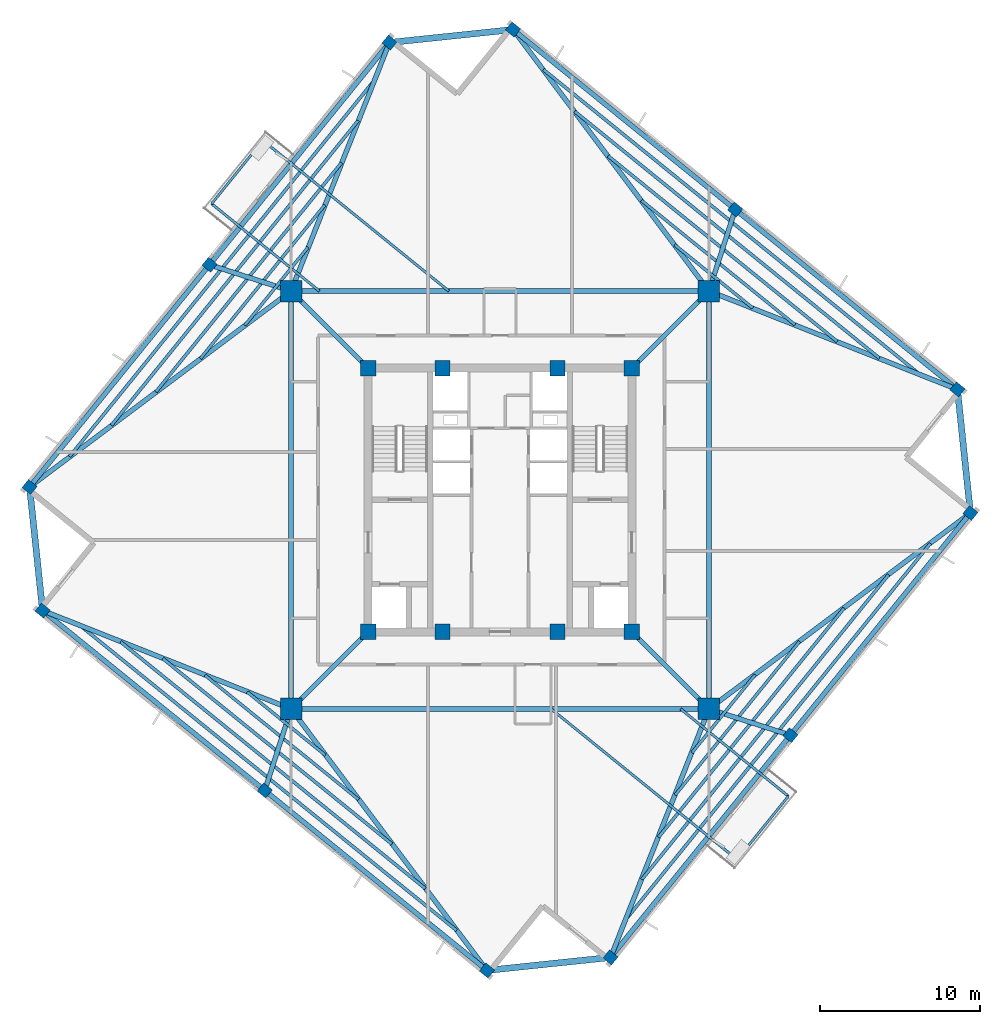
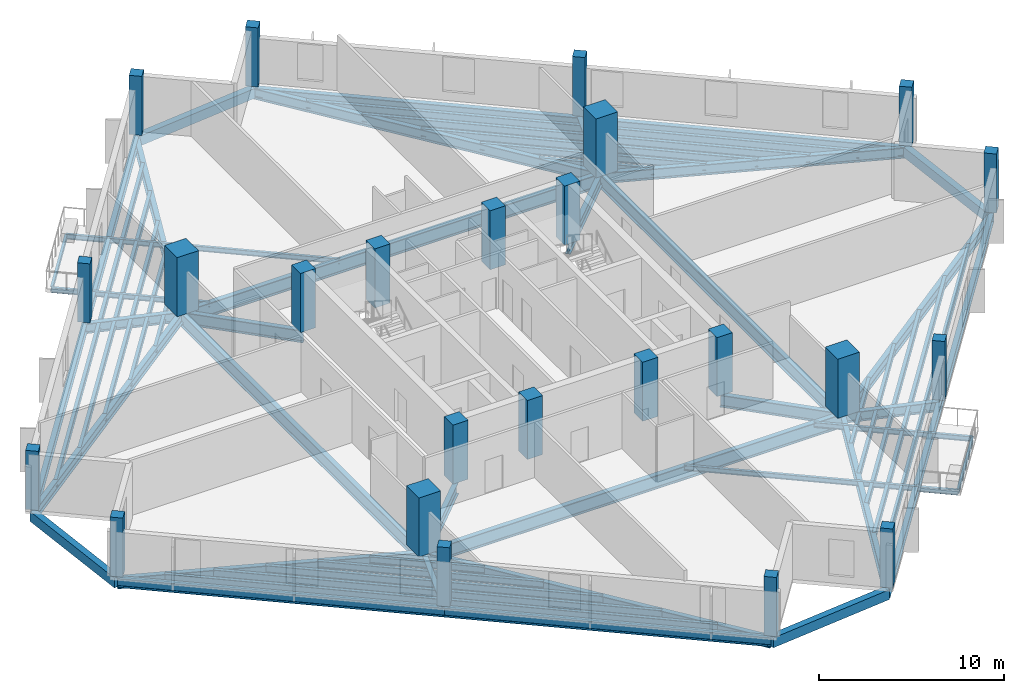
# One storey, part 1 of 9: 58 beams, 24 columns.
"""IFC4 building model written with IfcOpenShell, lengths in metres."""

from ifc_helpers import new_model, si_unit, direction, frame, origin, origin_2d, place, context, subcontext, project, spatial, rectangle, i_section, extrude, source, transform, mapped, material, material_profile, profile_set, type_object, element, save


model = new_model("IFC4")

# Units and contexts
model_context = context("Model", 3, precision=1e-05, world=origin(), true_north=direction((0.0, 1.0)))
body_context = subcontext(model_context, "Body", "Model", "MODEL_VIEW")
ifc_project = project(units=[si_unit("LENGTHUNIT", "METRE"), si_unit("AREAUNIT", "SQUARE_METRE"), si_unit("VOLUMEUNIT", "CUBIC_METRE"), si_unit("PLANEANGLEUNIT", "RADIAN"), si_unit("MASSUNIT", "GRAM", prefix="KILO"), si_unit("THERMODYNAMICTEMPERATUREUNIT", "KELVIN")], contexts=[model_context])

# Site, building, storey
site_placement = place(None, origin())
site = spatial("IfcSite", under=ifc_project, at=site_placement, CompositionType="ELEMENT")
building_placement = place(site_placement, origin())
building = spatial("IfcBuilding", under=site, at=building_placement, Name="Kosmvard Interchange Tower", CompositionType="ELEMENT")
storey_placement = place(building_placement, frame((0.0, 0.0, 236.800048828125)))
storey = spatial("IfcBuildingStorey", under=building, at=storey_placement, Name="L57", CompositionType="ELEMENT", Elevation=236.800048828125)

# Columns
ifc_material_1 = material(Name="Concrete C60/75", Category="concrete")
ifc_material_profile_1 = material_profile(ifc_material_1, rectangle(XDim=0.949951171875, YDim=0.949951171875, at=origin_2d()), Name="CP 950x950")
ifc_profile_set_1 = profile_set([ifc_material_profile_1], Name="Concrete C60/75")
column_type_1 = type_object("IfcColumnType", Name="Core Boundary Pilaster 950x950 C60/75", PredefinedType="PILASTER", material=ifc_profile_set_1)
shared_shape_1 = source(origin(), body_context, "Body", "SweptSolid", [
    extrude(rectangle(XDim=0.949951171875, YDim=0.949951171875, at=origin_2d()), origin(), (0.0, 0.0, 1.0), 3.89990234375),
])
for number, where, z_axis, x_axis, name in (
    (1, (-8.25, -8.25, 0.0), (0.0, 0.0, 1.0), (1.0, 0.0, 0.0), "L57 Core Pilaster CP1"),
    (2, (8.25, -8.25, 0.0), (0.0, 0.0, 1.0), (1.0, 0.0, 0.0), "L57 Core Pilaster CP2"),
    (3, (8.25, 8.25, 0.0), (0.0, 0.0, 1.0), (1.0, 0.0, 0.0), "L57 Core Pilaster CP3"),
    (4, (-8.25, 8.25, 0.0), (0.0, 0.0, 1.0), (1.0, 0.0, 0.0), "L57 Core Pilaster CP4"),
    (5, (-3.60009765625, -8.25, 0.0), (0.0, 0.0, 1.0), (1.0, 0.0, 0.0), "L57 Core Pilaster CP5"),
    (6, (3.60009765625, -8.25, 0.0), (0.0, 0.0, 1.0), (1.0, 0.0, 0.0), "L57 Core Pilaster CP6"),
    (7, (-3.60009765625, 8.25, 0.0), (0.0, 0.0, 1.0), (1.0, 0.0, 0.0), "L57 Core Pilaster CP7"),
    (8, (3.60009765625, 8.25, 0.0), (0.0, 0.0, 1.0), (1.0, 0.0, 0.0), "L57 Core Pilaster CP8"),
):
    element("IfcColumn", number, at=place(storey_placement, frame(where, z_axis=z_axis, x_axis=x_axis)), inside=storey, type_object=column_type_1, Name=name, PredefinedType="PILASTER", context=body_context, shape_type="MappedRepresentation", body=[
        mapped(shared_shape_1, transform((0.0, 0.0, 0.0), scale=1.0)),
    ])
ifc_material_profile_2 = material_profile(ifc_material_1, rectangle(XDim=1.35009765625, YDim=1.35009765625, at=origin_2d()), Name="MC 1350x1350")
ifc_profile_set_2 = profile_set([ifc_material_profile_2], Name="Concrete C60/75")
column_type_2 = type_object("IfcColumnType", Name="Composite Mega-Column 1350x1350 C60/75", PredefinedType="COLUMN", material=ifc_profile_set_2)
shared_shape_2 = source(origin(), body_context, "Body", "SweptSolid", [
    extrude(rectangle(XDim=1.35009765625, YDim=1.35009765625, at=origin_2d()), origin(), (0.0, 0.0, 1.0), 3.89990234375),
])
for number, where, z_axis, x_axis, name in (
    (9, (-13.0810546875, -13.0810546875, 0.0), (0.0, 0.0, 1.0), (1.0, 0.0, 0.0), "L57 Corner Mega-Column MC1"),
    (10, (13.0810546875, -13.0810546875, 0.0), (0.0, 0.0, 1.0), (1.0, 0.0, 0.0), "L57 Corner Mega-Column MC2"),
    (11, (13.0810546875, 13.0810546875, 0.0), (0.0, 0.0, 1.0), (1.0, 0.0, 0.0), "L57 Corner Mega-Column MC3"),
    (12, (-13.0810546875, 13.0810546875, 0.0), (0.0, 0.0, 1.0), (1.0, 0.0, 0.0), "L57 Corner Mega-Column MC4"),
):
    element("IfcColumn", number, at=place(storey_placement, frame(where, z_axis=z_axis, x_axis=x_axis)), inside=storey, type_object=column_type_2, Name=name, PredefinedType="COLUMN", context=body_context, shape_type="MappedRepresentation", body=[
        mapped(shared_shape_2, transform((0.0, 0.0, 0.0), scale=1.0)),
    ])
ifc_material_2 = material(Name="Concrete C50/60", Category="concrete")
ifc_material_profile_3 = material_profile(ifc_material_2, rectangle(XDim=0.64990234375, YDim=0.699951171875, at=origin_2d()), Name="TC 700x650")
ifc_profile_set_3 = profile_set([ifc_material_profile_3], Name="Concrete C50/60")
column_type_3 = type_object("IfcColumnType", Name="Zone 4 Perimeter Pier Column 700x650 C50/60", PredefinedType="COLUMN", material=ifc_profile_set_3)
shared_shape_3 = source(origin(), body_context, "Body", "SweptSolid", [
    extrude(rectangle(XDim=0.64990234375, YDim=0.699951171875, at=origin_2d()), origin(), (0.0, 0.0, 1.0), 3.89990234375),
])
for number, where, z_axis, x_axis, name in (
    (13, (6.92041015625, -28.636962890625, 0.0), (0.0, 0.0, 1.0), (0.62932039105, 0.777145961457, 0.0), "L57 Perimeter Pier Column TC-S1"),
    (14, (18.185302734375, -14.72607421875, 0.0), (0.0, 0.0, 1.0), (0.62932039105, 0.777145961457, 0.0), "L57 Perimeter Pier Column TC-S2"),
    (15, (29.449951171875, -0.815185546875, 0.0), (0.0, 0.0, 1.0), (0.62932039105, 0.777145961457, 0.0), "L57 Perimeter Pier Column TC-S3"),
    (16, (28.636962890625, 6.92041015625, 0.0), (0.0, 0.0, 1.0), (0.62932039105, 0.777145961457, 0.0), "L57 Perimeter Pier Column TC-E1"),
    (17, (14.72607421875, 18.185302734375, 0.0), (0.0, 0.0, 1.0), (0.62932039105, 0.777145961457, 0.0), "L57 Perimeter Pier Column TC-E2"),
    (18, (0.815185546875, 29.449951171875, 0.0), (0.0, 0.0, 1.0), (0.62932039105, 0.777145961457, 0.0), "L57 Perimeter Pier Column TC-E3"),
    (19, (-6.92041015625, 28.636962890625, 0.0), (0.0, 0.0, 1.0), (0.62932039105, 0.777145961457, 0.0), "L57 Perimeter Pier Column TC-N1"),
    (20, (-18.185302734375, 14.72607421875, 0.0), (0.0, 0.0, 1.0), (0.62932039105, 0.777145961457, 0.0), "L57 Perimeter Pier Column TC-N2"),
    (21, (-29.449951171875, 0.815185546875, 0.0), (0.0, 0.0, 1.0), (0.62932039105, 0.777145961457, 0.0), "L57 Perimeter Pier Column TC-N3"),
    (22, (-28.636962890625, -6.92041015625, 0.0), (0.0, 0.0, 1.0), (0.62932039105, 0.777145961457, 0.0), "L57 Perimeter Pier Column TC-W1"),
    (23, (-14.72607421875, -18.185302734375, 0.0), (0.0, 0.0, 1.0), (0.62932039105, 0.777145961457, 0.0), "L57 Perimeter Pier Column TC-W2"),
    (24, (-0.815185546875, -29.449951171875, 0.0), (0.0, 0.0, 1.0), (0.62932039105, 0.777145961457, 0.0), "L57 Perimeter Pier Column TC-W3"),
):
    element("IfcColumn", number, at=place(storey_placement, frame(where, z_axis=z_axis, x_axis=x_axis)), inside=storey, type_object=column_type_3, Name=name, PredefinedType="COLUMN", context=body_context, shape_type="MappedRepresentation", body=[
        mapped(shared_shape_3, transform((0.0, 0.0, 0.0), scale=1.0)),
    ])

# Beams
ifc_material_3 = material(Name="Steel S355", Category="steel")
ifc_material_profile_4 = material_profile(ifc_material_3, i_section(OverallWidth=0.14990234375, OverallDepth=0.300048828125, WebThickness=0.007080078125, FlangeThickness=0.0107421875, FilletRadius=0.014892578125, at=origin_2d()), Name="IPE 300")
ifc_profile_set_4 = profile_set([ifc_material_profile_4], Name="Steel S355")
beam_type_1 = type_object("IfcBeamType", Name="Balcony Edge Header Joist IPE 300 S355", PredefinedType="JOIST", material=ifc_profile_set_4)
shared_shape_4 = source(origin(), body_context, "Body", "SweptSolid", [
    extrude(i_section(OverallWidth=0.14990234375, OverallDepth=0.300048828125, WebThickness=0.007080078125, FlangeThickness=0.0107421875, FilletRadius=0.014892578125, at=origin_2d()), origin(), (0.0, 0.0, 1.0), 5.099853515625),
])
for number, where, z_axis, x_axis, name in (
    (25, (-14.84375, 22.50732421875, -0.39013671875), (-0.629319408179, -0.777146757369, 0.0), (0.777146757369, -0.629319408179, 0.0), "BM-L57-BJH1"),
    (26, (14.84375, -22.50732421875, -0.39013671875), (0.629319408179, 0.777146757369, 0.0), (-0.777146757369, 0.629319408179, 0.0), "BM-L57-BJH2"),
):
    element("IfcBeam", number, at=place(storey_placement, frame(where, z_axis=z_axis, x_axis=x_axis)), inside=storey, type_object=beam_type_1, Name=name, PredefinedType="JOIST", context=body_context, shape_type="MappedRepresentation", body=[
        mapped(shared_shape_4, transform((0.0, 0.0, 0.0), scale=1.0)),
    ])
ifc_material_profile_5 = material_profile(ifc_material_3, i_section(OverallWidth=0.300048828125, OverallDepth=0.800048828125, WebThickness=0.017578125, FlangeThickness=0.032958984375, FilletRadius=0.027099609375, at=origin_2d()), Name="HEB 800")
ifc_profile_set_5 = profile_set([ifc_material_profile_5], Name="Steel S355")
beam_type_2 = type_object("IfcBeamType", Name="Primary Mega-Frame Girder HEB 800 S355", PredefinedType="BEAM", material=ifc_profile_set_5)
shared_shape_5 = source(origin(), body_context, "Body", "SweptSolid", [
    extrude(i_section(OverallWidth=0.300048828125, OverallDepth=0.800048828125, WebThickness=0.017578125, FlangeThickness=0.032958984375, FilletRadius=0.027099609375, at=origin_2d()), origin(), (0.0, 0.0, 1.0), 6.83203125),
])
for number, where, z_axis, x_axis, name in (
    (27, (-8.25, -8.25, -0.64013671875), (-0.707106781187, -0.707106781187, 0.0), (0.707106781187, -0.707106781187, 0.0), "L57 Radial Mega-Frame Girder 1"),
    (28, (8.25, -8.25, -0.64013671875), (0.707106781187, -0.707106781187, 0.0), (0.707106781187, 0.707106781187, 0.0), "L57 Radial Mega-Frame Girder 2"),
    (29, (8.25, 8.25, -0.64013671875), (0.707106781187, 0.707106781187, 0.0), (-0.707106781187, 0.707106781187, 0.0), "L57 Radial Mega-Frame Girder 3"),
    (30, (-8.25, 8.25, -0.64013671875), (-0.707106781187, 0.707106781187, 0.0), (-0.707106781187, -0.707106781187, 0.0), "L57 Radial Mega-Frame Girder 4"),
):
    element("IfcBeam", number, at=place(storey_placement, frame(where, z_axis=z_axis, x_axis=x_axis)), inside=storey, type_object=beam_type_2, Name=name, PredefinedType="BEAM", context=body_context, shape_type="MappedRepresentation", body=[
        mapped(shared_shape_5, transform((0.0, 0.0, 0.0), scale=1.0)),
    ])
ifc_material_profile_6 = material_profile(ifc_material_3, i_section(OverallWidth=0.300048828125, OverallDepth=0.89990234375, WebThickness=0.0185546875, FlangeThickness=0.034912109375, FilletRadius=0.030029296875, at=origin_2d()), Name="HEB 900")
ifc_profile_set_6 = profile_set([ifc_material_profile_6], Name="Steel S355")
beam_type_3 = type_object("IfcBeamType", Name="Mega-Column Ring Girder HEB 900 S355", PredefinedType="BEAM", material=ifc_profile_set_6)
shared_shape_6 = source(origin(), body_context, "Body", "SweptSolid", [
    extrude(i_section(OverallWidth=0.300048828125, OverallDepth=0.89990234375, WebThickness=0.0185546875, FlangeThickness=0.034912109375, FilletRadius=0.030029296875, at=origin_2d()), origin(), (0.0, 0.0, 1.0), 26.162109375),
])
for number, where, z_axis, x_axis, name in (
    (31, (-13.0810546875, -13.0810546875, -0.68994140625), (1.0, 0.0, 0.0), (0.0, 1.0, 0.0), "L57 Mega-Column Ring Girder 1"),
    (32, (13.0810546875, -13.0810546875, -0.68994140625), (0.0, 1.0, 0.0), (-1.0, 0.0, 0.0), "L57 Mega-Column Ring Girder 2"),
    (33, (13.0810546875, 13.0810546875, -0.68994140625), (-1.0, 0.0, 0.0), (0.0, -1.0, 0.0), "L57 Mega-Column Ring Girder 3"),
    (34, (-13.0810546875, 13.0810546875, -0.68994140625), (0.0, -1.0, 0.0), (1.0, 0.0, 0.0), "L57 Mega-Column Ring Girder 4"),
):
    element("IfcBeam", number, at=place(storey_placement, frame(where, z_axis=z_axis, x_axis=x_axis)), inside=storey, type_object=beam_type_3, Name=name, PredefinedType="BEAM", context=body_context, shape_type="MappedRepresentation", body=[
        mapped(shared_shape_6, transform((0.0, 0.0, 0.0), scale=1.0)),
    ])
ifc_material_profile_7 = material_profile(ifc_material_3, i_section(OverallWidth=0.300048828125, OverallDepth=0.60009765625, WebThickness=0.015380859375, FlangeThickness=0.030029296875, FilletRadius=0.027099609375, at=origin_2d()), Name="HEB 600")
ifc_profile_set_7 = profile_set([ifc_material_profile_7], Name="Steel S355")
beam_type_4 = type_object("IfcBeamType", Name="Perimeter Tie Girder HEB 600 S355", PredefinedType="BEAM", material=ifc_profile_set_7)
shared_shape_7 = source(origin(), body_context, "Body", "SweptSolid", [
    extrude(i_section(OverallWidth=0.300048828125, OverallDepth=0.60009765625, WebThickness=0.015380859375, FlangeThickness=0.030029296875, FilletRadius=0.027099609375, at=origin_2d()), origin(), (0.0, 0.0, 1.0), 17.89990234375),
])
for number, where, z_axis, x_axis, name in (
    (35, (6.92041015625, -28.636962890625, -0.5400390625), (0.629322990554, 0.777143856413, 0.0), (-0.777143856413, 0.629322990554, 0.0), "BM-L57-PR01"),
    (36, (18.185302734375, -14.72607421875, -0.5400390625), (0.629314753061, 0.777150526976, 0.0), (-0.777150526976, 0.629314753061, 0.0), "BM-L57-PR02"),
    (37, (28.636962890625, 6.92041015625, -0.5400390625), (-0.777143856413, 0.629322990554, 0.0), (-0.629322990554, -0.777143856413, 0.0), "BM-L57-PR04"),
    (38, (14.72607421875, 18.185302734375, -0.5400390625), (-0.777150526976, 0.629314753061, 0.0), (-0.629314753061, -0.777150526976, 0.0), "BM-L57-PR05"),
    (39, (-6.92041015625, 28.636962890625, -0.5400390625), (-0.629322990554, -0.777143856413, 0.0), (0.777143856413, -0.629322990554, 0.0), "BM-L57-PR07"),
    (40, (-18.185302734375, 14.72607421875, -0.5400390625), (-0.629314753061, -0.777150526976, 0.0), (0.777150526976, -0.629314753061, 0.0), "BM-L57-PR08"),
    (41, (-28.636962890625, -6.92041015625, -0.5400390625), (0.777143856413, -0.629322990554, 0.0), (0.629322990554, 0.777143856413, 0.0), "BM-L57-PR10"),
    (42, (-14.72607421875, -18.185302734375, -0.5400390625), (0.777150526976, -0.629314753061, 0.0), (0.629314753061, 0.777150526976, 0.0), "BM-L57-PR11"),
):
    element("IfcBeam", number, at=place(storey_placement, frame(where, z_axis=z_axis, x_axis=x_axis)), inside=storey, type_object=beam_type_4, Name=name, PredefinedType="BEAM", context=body_context, shape_type="MappedRepresentation", body=[
        mapped(shared_shape_7, transform((0.0, 0.0, 0.0), scale=1.0)),
    ])
ifc_material_profile_8 = material_profile(ifc_material_3, i_section(OverallWidth=0.300048828125, OverallDepth=0.699951171875, WebThickness=0.01708984375, FlangeThickness=0.031982421875, FilletRadius=0.027099609375, at=origin_2d()), Name="HEB 700")
ifc_profile_set_8 = profile_set([ifc_material_profile_8], Name="Steel S355")
beam_type_5 = type_object("IfcBeamType", Name="Primary Floor Girder HEB 700 S355", PredefinedType="BEAM", material=ifc_profile_set_8)
shared_shape_8 = source(origin(), body_context, "Body", "SweptSolid", [
    extrude(i_section(OverallWidth=0.300048828125, OverallDepth=0.699951171875, WebThickness=0.01708984375, FlangeThickness=0.031982421875, FilletRadius=0.027099609375, at=origin_2d()), origin(), (0.0, 0.0, 1.0), 16.7314453125),
])
for number, where, z_axis, x_axis, name in (
    (43, (13.0810546875, -13.0810546875, -0.590087890625), (-0.368208500474, -0.929743244223, 0.0), (0.929743244223, -0.368208500474, 0.0), "BM-L57-RD01"),
    (44, (13.0810546875, 13.0810546875, -0.590087890625), (0.929743244223, -0.368208500474, 0.0), (0.368208500474, 0.929743244223, 0.0), "BM-L57-RD04"),
    (45, (-13.0810546875, 13.0810546875, -0.590087890625), (0.368208500474, 0.929743244223, 0.0), (-0.929743244223, 0.368208500474, 0.0), "BM-L57-RD07"),
    (46, (-13.0810546875, -13.0810546875, -0.590087890625), (-0.929743244223, 0.368208500474, 0.0), (-0.368208500474, -0.929743244223, 0.0), "BM-L57-RD10"),
):
    element("IfcBeam", number, at=place(storey_placement, frame(where, z_axis=z_axis, x_axis=x_axis)), inside=storey, type_object=beam_type_5, Name=name, PredefinedType="BEAM", context=body_context, shape_type="MappedRepresentation", body=[
        mapped(shared_shape_8, transform((0.0, 0.0, 0.0), scale=1.0)),
    ])
ifc_material_profile_9 = material_profile(ifc_material_3, i_section(OverallWidth=0.300048828125, OverallDepth=0.64990234375, WebThickness=0.01611328125, FlangeThickness=0.031005859375, FilletRadius=0.027099609375, at=origin_2d()), Name="HEB 650")
ifc_profile_set_9 = profile_set([ifc_material_profile_9], Name="Steel S355")
beam_type_6 = type_object("IfcBeamType", Name="Primary Floor Girder HEB 650 S355", PredefinedType="BEAM", material=ifc_profile_set_9)
shared_shape_9 = source(origin(), body_context, "Body", "SweptSolid", [
    extrude(i_section(OverallWidth=0.300048828125, OverallDepth=0.64990234375, WebThickness=0.01611328125, FlangeThickness=0.031005859375, FilletRadius=0.027099609375, at=origin_2d()), origin(), (0.0, 0.0, 1.0), 5.36279296875),
])
for number, where, z_axis, x_axis, name in (
    (47, (13.0810546875, -13.0810546875, -0.56494140625), (0.951790966135, -0.306747382686, 0.0), (0.306747382686, 0.951790966135, 0.0), "BM-L57-RD02"),
    (48, (13.0810546875, 13.0810546875, -0.56494140625), (0.306747382686, 0.951790966135, 0.0), (-0.951790966135, 0.306747382686, 0.0), "BM-L57-RD05"),
    (49, (-13.0810546875, 13.0810546875, -0.56494140625), (-0.951790966135, 0.306747382686, 0.0), (-0.306747382686, -0.951790966135, 0.0), "BM-L57-RD08"),
    (50, (-13.0810546875, -13.0810546875, -0.56494140625), (-0.306747382686, -0.951790966135, 0.0), (0.951790966135, -0.306747382686, 0.0), "BM-L57-RD11"),
):
    element("IfcBeam", number, at=place(storey_placement, frame(where, z_axis=z_axis, x_axis=x_axis)), inside=storey, type_object=beam_type_6, Name=name, PredefinedType="BEAM", context=body_context, shape_type="MappedRepresentation", body=[
        mapped(shared_shape_9, transform((0.0, 0.0, 0.0), scale=1.0)),
    ])
ifc_material_4 = material(Name="Precast concrete C45/55", Category="concrete")
ifc_material_profile_10 = material_profile(ifc_material_4, rectangle(XDim=0.39990234375, YDim=0.64990234375, at=origin_2d()), Name="SL 400x650")
ifc_profile_set_10 = profile_set([ifc_material_profile_10], Name="Precast concrete C45/55")
beam_type_7 = type_object("IfcBeamType", Name="Precast Spandrel Lintel 400x650 C45/55", PredefinedType="LINTEL", material=ifc_profile_set_10)
shared_shape_10 = source(origin(), body_context, "Body", "SweptSolid", [
    extrude(rectangle(XDim=0.39990234375, YDim=0.64990234375, at=origin_2d()), origin(), (0.0, 0.0, 1.0), 7.7783203125),
])
for number, where, z_axis, x_axis, name in (
    (51, (29.449951171875, -0.815185546875, -0.56494140625), (-0.104521394525, 0.994522638298, 0.0), (-0.994522638298, -0.104521394525, 0.0), "BM-L57-SL1"),
    (52, (0.815185546875, 29.449951171875, -0.56494140625), (-0.994522638298, -0.104521394525, 0.0), (0.104521394525, -0.994522638298, 0.0), "BM-L57-SL2"),
    (53, (-29.449951171875, 0.815185546875, -0.56494140625), (0.104521394525, -0.994522638298, 0.0), (0.994522638298, 0.104521394525, 0.0), "BM-L57-SL3"),
    (54, (-0.815185546875, -29.449951171875, -0.56494140625), (0.994522638298, 0.104521394525, 0.0), (-0.104521394525, 0.994522638298, 0.0), "BM-L57-SL4"),
):
    element("IfcBeam", number, at=place(storey_placement, frame(where, z_axis=z_axis, x_axis=x_axis)), inside=storey, type_object=beam_type_7, Name=name, PredefinedType="LINTEL", context=body_context, shape_type="MappedRepresentation", body=[
        mapped(shared_shape_10, transform((0.0, 0.0, 0.0), scale=1.0)),
    ])
shared_shape_11 = source(origin(), body_context, "Body", "SweptSolid", [
    extrude(i_section(OverallWidth=0.300048828125, OverallDepth=0.699951171875, WebThickness=0.01708984375, FlangeThickness=0.031982421875, FilletRadius=0.027099609375, at=origin_2d()), origin(), (0.0, 0.0, 1.0), 20.45458984375),
])
for number, where, z_axis, x_axis, name in (
    (55, (13.0810546875, -13.0810546875, -0.590087890625), (0.800253443036, 0.599661927179, 0.0), (-0.599661927179, 0.800253443036, 0.0), "BM-L57-RD03"),
    (56, (13.0810546875, 13.0810546875, -0.590087890625), (-0.599661927179, 0.800253443036, 0.0), (-0.800253443036, -0.599661927179, 0.0), "BM-L57-RD06"),
    (57, (-13.0810546875, 13.0810546875, -0.590087890625), (-0.800253443036, -0.599661927179, 0.0), (0.599661927179, -0.800253443036, 0.0), "BM-L57-RD09"),
    (58, (-13.0810546875, -13.0810546875, -0.590087890625), (0.599661927179, -0.800253443036, 0.0), (0.800253443036, 0.599661927179, 0.0), "BM-L57-RD12"),
):
    element("IfcBeam", number, at=place(storey_placement, frame(where, z_axis=z_axis, x_axis=x_axis)), inside=storey, type_object=beam_type_5, Name=name, PredefinedType="BEAM", context=body_context, shape_type="MappedRepresentation", body=[
        mapped(shared_shape_11, transform((0.0, 0.0, 0.0), scale=1.0)),
    ])
ifc_material_profile_11 = material_profile(ifc_material_3, i_section(OverallWidth=0.18994140625, OverallDepth=0.449951171875, WebThickness=0.009521484375, FlangeThickness=0.0146484375, FilletRadius=0.02099609375, at=origin_2d()), Name="IPE 450")
ifc_profile_set_11 = profile_set([ifc_material_profile_11], Name="Steel S355")
beam_type_8 = type_object("IfcBeamType", Name="Mid-Rise Floor Joist IPE 450 S355", PredefinedType="JOIST", material=ifc_profile_set_11)
shared_shape_12 = source(origin(), body_context, "Body", "SweptSolid", [
    extrude(i_section(OverallWidth=0.18994140625, OverallDepth=0.449951171875, WebThickness=0.009521484375, FlangeThickness=0.0146484375, FilletRadius=0.02099609375, at=origin_2d()), origin(), (0.0, 0.0, 1.0), 6.283935546875),
])
for number, where, z_axis, x_axis, name in (
    (59, (12.0224609375, -15.81884765625, -0.465087890625), (0.629317809561, 0.777148051898, 0.0), (-0.777148051898, 0.629317809561, 0.0), "BM-L57-FJ01"),
    (60, (15.81884765625, 12.0224609375, -0.465087890625), (-0.777148051898, 0.629317809561, 0.0), (-0.629317809561, -0.777148051898, 0.0), "BM-L57-FJ06"),
    (61, (-12.0224609375, 15.81884765625, -0.465087890625), (-0.629317809561, -0.777148051898, 0.0), (0.777148051898, -0.629317809561, 0.0), "BM-L57-FJ11"),
    (62, (-15.81884765625, -12.0224609375, -0.465087890625), (0.777148051898, -0.629317809561, 0.0), (0.629317809561, 0.777148051898, 0.0), "BM-L57-FJ16"),
):
    element("IfcBeam", number, at=place(storey_placement, frame(where, z_axis=z_axis, x_axis=x_axis)), inside=storey, type_object=beam_type_8, Name=name, PredefinedType="JOIST", context=body_context, shape_type="MappedRepresentation", body=[
        mapped(shared_shape_12, transform((0.0, 0.0, 0.0), scale=1.0)),
    ])
shared_shape_13 = source(origin(), body_context, "Body", "SweptSolid", [
    extrude(i_section(OverallWidth=0.18994140625, OverallDepth=0.449951171875, WebThickness=0.009521484375, FlangeThickness=0.0146484375, FilletRadius=0.02099609375, at=origin_2d()), origin(), (0.0, 0.0, 1.0), 12.369873046875),
])
for number, where, z_axis, x_axis, name in (
    (63, (10.97509765625, -18.46337890625, -0.465087890625), (0.629319722443, 0.777146502883, 0.0), (-0.777146502883, 0.629319722443, 0.0), "BM-L57-FJ02"),
    (64, (18.46337890625, 10.97509765625, -0.465087890625), (-0.777146502883, 0.629319722443, 0.0), (-0.629319722443, -0.777146502883, 0.0), "BM-L57-FJ07"),
    (65, (-10.97509765625, 18.46337890625, -0.465087890625), (-0.629319722443, -0.777146502883, 0.0), (0.777146502883, -0.629319722443, 0.0), "BM-L57-FJ12"),
    (66, (-18.46337890625, -10.97509765625, -0.465087890625), (0.777146502883, -0.629319722443, 0.0), (0.629319722443, 0.777146502883, 0.0), "BM-L57-FJ17"),
):
    element("IfcBeam", number, at=place(storey_placement, frame(where, z_axis=z_axis, x_axis=x_axis)), inside=storey, type_object=beam_type_8, Name=name, PredefinedType="JOIST", context=body_context, shape_type="MappedRepresentation", body=[
        mapped(shared_shape_13, transform((0.0, 0.0, 0.0), scale=1.0)),
    ])
ifc_material_profile_12 = material_profile(ifc_material_3, i_section(OverallWidth=0.199951171875, OverallDepth=0.5, WebThickness=0.01025390625, FlangeThickness=0.01611328125, FilletRadius=0.02099609375, at=origin_2d()), Name="IPE 500")
ifc_profile_set_12 = profile_set([ifc_material_profile_12], Name="Steel S355")
beam_type_9 = type_object("IfcBeamType", Name="Standard Floor Joist IPE 500 S355", PredefinedType="JOIST", material=ifc_profile_set_12)
shared_shape_14 = source(origin(), body_context, "Body", "SweptSolid", [
    extrude(i_section(OverallWidth=0.199951171875, OverallDepth=0.5, WebThickness=0.01025390625, FlangeThickness=0.01611328125, FilletRadius=0.02099609375, at=origin_2d()), origin(), (0.0, 0.0, 1.0), 18.4560546875),
])
for number, where, z_axis, x_axis, name in (
    (67, (9.927734375, -21.10791015625, -0.489990234375), (0.629320373744, 0.777145975471, 0.0), (-0.777145975471, 0.629320373744, 0.0), "BM-L57-FJ03"),
    (68, (21.10791015625, 9.927734375, -0.489990234375), (-0.777145975471, 0.629320373744, 0.0), (-0.629320373744, -0.777145975471, 0.0), "BM-L57-FJ08"),
    (69, (-9.927734375, 21.10791015625, -0.489990234375), (-0.629320373744, -0.777145975471, 0.0), (0.777145975471, -0.629320373744, 0.0), "BM-L57-FJ13"),
    (70, (-21.10791015625, -9.927734375, -0.489990234375), (0.777145975471, -0.629320373744, 0.0), (0.629320373744, 0.777145975471, 0.0), "BM-L57-FJ18"),
):
    element("IfcBeam", number, at=place(storey_placement, frame(where, z_axis=z_axis, x_axis=x_axis)), inside=storey, type_object=beam_type_9, Name=name, PredefinedType="JOIST", context=body_context, shape_type="MappedRepresentation", body=[
        mapped(shared_shape_14, transform((0.0, 0.0, 0.0), scale=1.0)),
    ])
shared_shape_15 = source(origin(), body_context, "Body", "SweptSolid", [
    extrude(i_section(OverallWidth=0.199951171875, OverallDepth=0.5, WebThickness=0.01025390625, FlangeThickness=0.01611328125, FilletRadius=0.02099609375, at=origin_2d()), origin(), (0.0, 0.0, 1.0), 24.5419921875),
])
for number, where, z_axis, x_axis, name in (
    (71, (8.880615234375, -23.75244140625, -0.489990234375), (0.629314693907, 0.777150574878, 0.0), (-0.777150574878, 0.629314693907, 0.0), "BM-L57-FJ04"),
    (72, (23.75244140625, 8.880615234375, -0.489990234375), (-0.777150574878, 0.629314693907, 0.0), (-0.629314693907, -0.777150574878, 0.0), "BM-L57-FJ09"),
    (73, (-8.880615234375, 23.75244140625, -0.489990234375), (-0.629314693907, -0.777150574878, 0.0), (0.777150574878, -0.629314693907, 0.0), "BM-L57-FJ14"),
    (74, (-23.75244140625, -8.880615234375, -0.489990234375), (0.777150574878, -0.629314693907, 0.0), (0.629314693907, 0.777150574878, 0.0), "BM-L57-FJ19"),
):
    element("IfcBeam", number, at=place(storey_placement, frame(where, z_axis=z_axis, x_axis=x_axis)), inside=storey, type_object=beam_type_9, Name=name, PredefinedType="JOIST", context=body_context, shape_type="MappedRepresentation", body=[
        mapped(shared_shape_15, transform((0.0, 0.0, 0.0), scale=1.0)),
    ])
shared_shape_16 = source(origin(), body_context, "Body", "SweptSolid", [
    extrude(i_section(OverallWidth=0.199951171875, OverallDepth=0.5, WebThickness=0.01025390625, FlangeThickness=0.01611328125, FilletRadius=0.02099609375, at=origin_2d()), origin(), (0.0, 0.0, 1.0), 30.27001953125),
])
for number, where, z_axis, x_axis, name in (
    (75, (7.894775390625, -26.241455078125, -0.489990234375), (0.629321655027, 0.777144937907, 0.0), (-0.777144937907, 0.629321655027, 0.0), "BM-L57-FJ05"),
    (76, (26.241455078125, 7.894775390625, -0.489990234375), (-0.777144937907, 0.629321655027, 0.0), (-0.629321655027, -0.777144937907, 0.0), "BM-L57-FJ10"),
    (77, (-7.894775390625, 26.241455078125, -0.489990234375), (-0.629321655027, -0.777144937907, 0.0), (0.777144937907, -0.629321655027, 0.0), "BM-L57-FJ15"),
    (78, (-26.241455078125, -7.894775390625, -0.489990234375), (0.777144937907, -0.629321655027, 0.0), (0.629321655027, 0.777144937907, 0.0), "BM-L57-FJ20"),
):
    element("IfcBeam", number, at=place(storey_placement, frame(where, z_axis=z_axis, x_axis=x_axis)), inside=storey, type_object=beam_type_9, Name=name, PredefinedType="JOIST", context=body_context, shape_type="MappedRepresentation", body=[
        mapped(shared_shape_16, transform((0.0, 0.0, 0.0), scale=1.0)),
    ])
ifc_material_profile_13 = material_profile(ifc_material_3, i_section(OverallWidth=0.159912109375, OverallDepth=0.330078125, WebThickness=0.007568359375, FlangeThickness=0.011474609375, FilletRadius=0.01806640625, at=origin_2d()), Name="IPE 330")
ifc_profile_set_13 = profile_set([ifc_material_profile_13], Name="Steel S355")
beam_type_10 = type_object("IfcBeamType", Name="Balcony Cantilever Joist IPE 330 S355", PredefinedType="JOIST", material=ifc_profile_set_13)
shared_shape_17 = source(origin(), body_context, "Body", "SweptSolid", [
    extrude(i_section(OverallWidth=0.159912109375, OverallDepth=0.330078125, WebThickness=0.007568359375, FlangeThickness=0.011474609375, FilletRadius=0.01806640625, at=origin_2d()), origin(), (0.0, 0.0, 1.0), 14.978515625),
])
for number, where, z_axis, x_axis, name in (
    (79, (-3.203125, 13.0810546875, -0.405029296875), (-0.777149968763, 0.629315442407, 0.0), (-0.629315442407, -0.777149968763, 0.0), "BM-L57-BJ1"),
    (80, (3.203125, -13.0810546875, -0.405029296875), (0.777149968763, -0.629315442407, 0.0), (0.629315442407, 0.777149968763, 0.0), "BM-L57-BJ2"),
):
    element("IfcBeam", number, at=place(storey_placement, frame(where, z_axis=z_axis, x_axis=x_axis)), inside=storey, type_object=beam_type_10, Name=name, PredefinedType="JOIST", context=body_context, shape_type="MappedRepresentation", body=[
        mapped(shared_shape_17, transform((0.0, 0.0, 0.0), scale=1.0)),
    ])
shared_shape_18 = source(origin(), body_context, "Body", "SweptSolid", [
    extrude(i_section(OverallWidth=0.159912109375, OverallDepth=0.330078125, WebThickness=0.007568359375, FlangeThickness=0.011474609375, FilletRadius=0.01806640625, at=origin_2d()), origin(), (0.0, 0.0, 1.0), 8.6806640625),
])
for number, where, z_axis, x_axis, name in (
    (81, (-11.30712890625, 13.0810546875, -0.405029296875), (-0.777145306785, 0.629321199501, 0.0), (-0.629321199501, -0.777145306785, 0.0), "BM-L57-BJB1"),
    (82, (11.30712890625, -13.0810546875, -0.405029296875), (0.777145306785, -0.629321199501, 0.0), (0.629321199501, 0.777145306785, 0.0), "BM-L57-BJB2"),
):
    element("IfcBeam", number, at=place(storey_placement, frame(where, z_axis=z_axis, x_axis=x_axis)), inside=storey, type_object=beam_type_10, Name=name, PredefinedType="JOIST", context=body_context, shape_type="MappedRepresentation", body=[
        mapped(shared_shape_18, transform((0.0, 0.0, 0.0), scale=1.0)),
    ])

save(model, "model.ifc")
